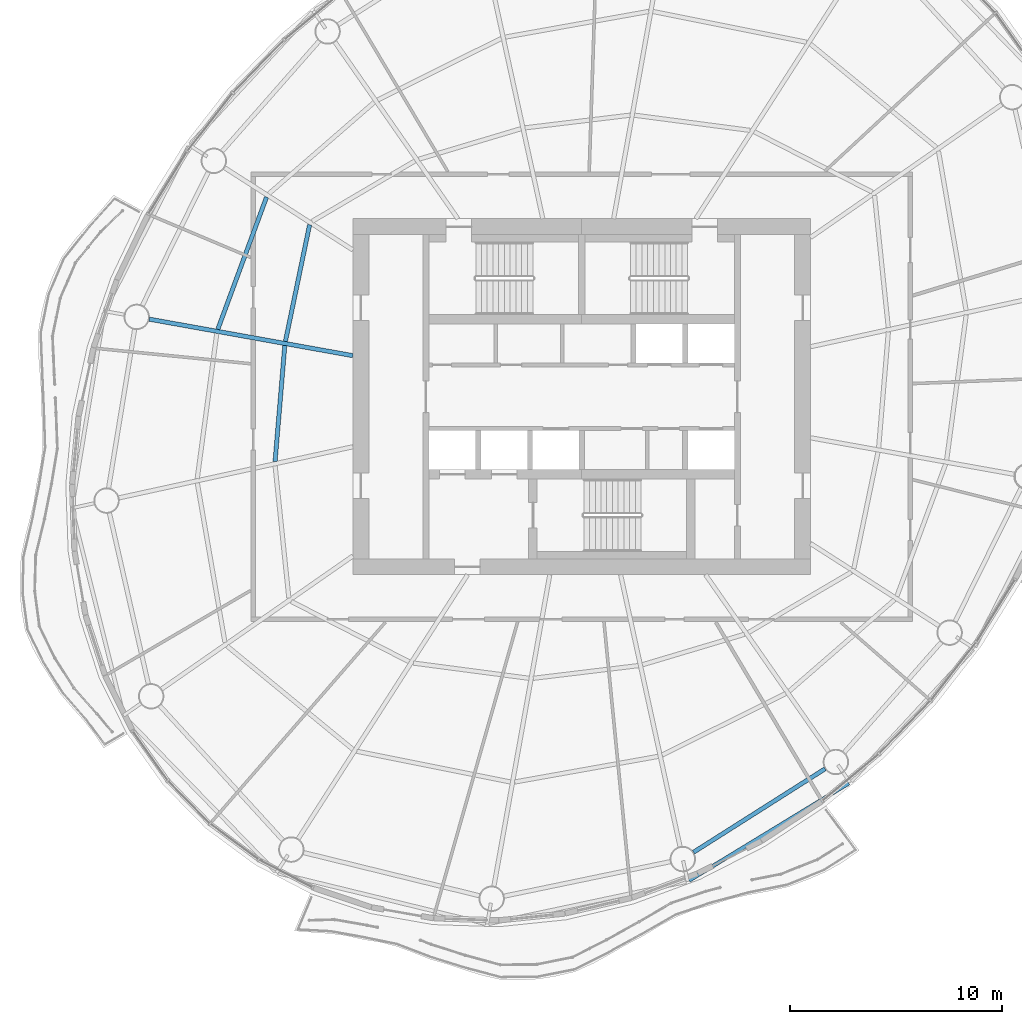
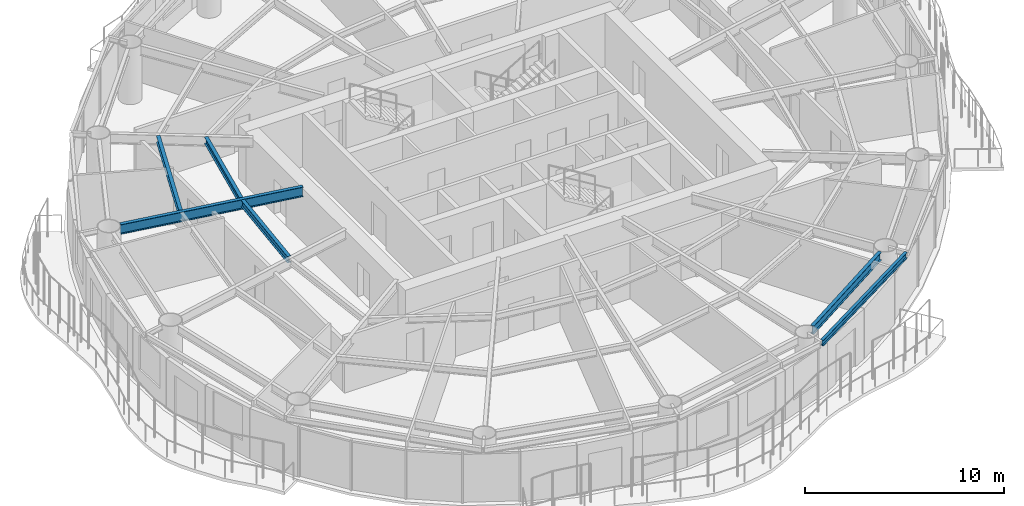
# One storey, part 3 of 14: 6 beams.
"""IFC4 building model written with IfcOpenShell, lengths in metres."""

from ifc_helpers import new_model, si_unit, direction, frame, origin, origin_2d, place, context, subcontext, project, spatial, i_section, extrude, material, material_profile, profile_set, type_object, element, save


model = new_model("IFC4")

# Units and contexts
model_context = context("Model", 3, precision=1e-05, world=origin(), true_north=direction((0.0, 1.0)))
body_context = subcontext(model_context, "Body", "Model", "MODEL_VIEW")
ifc_project = project(units=[si_unit("LENGTHUNIT", "METRE"), si_unit("AREAUNIT", "SQUARE_METRE"), si_unit("VOLUMEUNIT", "CUBIC_METRE"), si_unit("PLANEANGLEUNIT", "RADIAN"), si_unit("MASSUNIT", "GRAM", prefix="KILO")], contexts=[model_context])

# Site, building, storey
site_placement = place(None, origin())
site = spatial("IfcSite", under=ifc_project, at=site_placement, CompositionType="ELEMENT")
building_placement = place(site_placement, origin())
building = spatial("IfcBuilding", under=site, at=building_placement, Name="Vermilion Reach Broadcast Tower", CompositionType="ELEMENT")
storey_placement = place(building_placement, frame((0.0, 0.0, 228.10009765625)))
storey = spatial("IfcBuildingStorey", under=building, at=storey_placement, Name="L56", CompositionType="ELEMENT", Elevation=228.10009765625)

# Beams
ifc_material_1 = material(Name="Steel S355J2", Category="steel")
ifc_material_profile_1 = material_profile(ifc_material_1, i_section(OverallWidth=0.175048828125, OverallDepth=0.35009765625, WebThickness=0.007080078125, FlangeThickness=0.010986328125, at=origin_2d()), Name="S355J2 HN 350x175x7x11")
ifc_profile_set_1 = profile_set([ifc_material_profile_1], Name="Steel S355J2")
beam_type_1 = type_object("IfcBeamType", Name="EB4 HN 350x175x7x11", PredefinedType="BEAM", material=ifc_profile_set_1)
beam_1_placement = place(storey_placement, frame((-0.9326171875, -22.831787109375, 3.27490234375), z_axis=(0.854050493174, 0.52019011439, 0.0), x_axis=(-0.52019011439, 0.854050493174, 0.0)))
element("IfcBeam", 1, at=beam_1_placement, inside=storey, type_object=beam_type_1, Name="Edge beam EB4-11", PredefinedType="BEAM", context=body_context, shape_type="SweptSolid", body=[
    extrude(i_section(OverallWidth=0.175048828125, OverallDepth=0.35009765625, WebThickness=0.007080078125, FlangeThickness=0.010986328125, at=origin_2d()), origin(), (0.0, 0.0, 1.0), 8.822021484375),
])
ifc_material_2 = material(Name="Steel S355J2", Category="steel")
ifc_material_profile_2 = material_profile(ifc_material_2, i_section(OverallWidth=0.199951171875, OverallDepth=0.60009765625, WebThickness=0.010986328125, FlangeThickness=0.01708984375, at=origin_2d()), Name="S355J2 HN 600x200x11x17")
ifc_profile_set_2 = profile_set([ifc_material_profile_2], Name="Steel S355J2")
beam_type_2 = type_object("IfcBeamType", Name="G4 HN 600x200x11x17", PredefinedType="BEAM", material=ifc_profile_set_2)
beam_2_placement = place(storey_placement, frame((-16.800048828125, 1.9375, 3.14990234375), z_axis=(-0.984291153273, 0.176552897422, 0.0), x_axis=(-0.176552897422, -0.984291153273, 0.0)))
element("IfcBeam", 2, at=beam_2_placement, inside=storey, type_object=beam_type_2, Name="Girder G4-06", PredefinedType="BEAM", context=body_context, shape_type="SweptSolid", body=[
    extrude(i_section(OverallWidth=0.199951171875, OverallDepth=0.60009765625, WebThickness=0.010986328125, FlangeThickness=0.01708984375, at=origin_2d()), origin(), (0.0, 0.0, 1.0), 9.765380859375),
])
ifc_material_3 = material(Name="Steel S355J2", Category="steel")
ifc_material_profile_3 = material_profile(ifc_material_3, i_section(OverallWidth=0.199951171875, OverallDepth=0.5, WebThickness=0.010009765625, FlangeThickness=0.01611328125, at=origin_2d()), Name="S355J2 HN 500x200x10x16")
ifc_profile_set_3 = profile_set([ifc_material_profile_3], Name="Steel S355J2")
beam_type_3 = type_object("IfcBeamType", Name="RB4 HN 500x200x10x16", PredefinedType="BEAM", material=ifc_profile_set_3)
beam_3_placement = place(storey_placement, frame((-0.72412109375, -21.497314453125, 3.199951171875), z_axis=(0.84446426774, 0.535611893549, 0.0), x_axis=(-0.535611893549, 0.84446426774, 0.0)))
element("IfcBeam", 3, at=beam_3_placement, inside=storey, type_object=beam_type_3, Name="Ring beam RB4-11", PredefinedType="BEAM", context=body_context, shape_type="SweptSolid", body=[
    extrude(i_section(OverallWidth=0.199951171875, OverallDepth=0.5, WebThickness=0.010009765625, FlangeThickness=0.01611328125, at=origin_2d()), origin(), (0.0, 0.0, 1.0), 7.3544921875),
])
ifc_material_4 = material(Name="Steel S355J2", Category="steel")
ifc_material_profile_4 = material_profile(ifc_material_4, i_section(OverallWidth=0.199951171875, OverallDepth=0.39990234375, WebThickness=0.008056640625, FlangeThickness=0.012939453125, at=origin_2d()), Name="S355J2 HN 400x200x8x13")
ifc_profile_set_4 = profile_set([ifc_material_profile_4], Name="Steel S355J2")
beam_type_4 = type_object("IfcBeamType", Name="SB4 HN 400x200x8x13", PredefinedType="BEAM", material=ifc_profile_set_4)
beam_4_placement = place(storey_placement, frame((-18.841064453125, 8.115478515625, 3.25), z_axis=(-0.20320860258, -0.979135467562, 0.0), x_axis=(0.979135467562, -0.20320860258, 0.0)))
element("IfcBeam", 4, at=beam_4_placement, inside=storey, type_object=beam_type_4, Name="Secondary beam SB4-05-1", PredefinedType="BEAM", context=body_context, shape_type="SweptSolid", body=[
    extrude(i_section(OverallWidth=0.199951171875, OverallDepth=0.39990234375, WebThickness=0.008056640625, FlangeThickness=0.012939453125, at=origin_2d()), origin(), (0.0, 0.0, 1.0), 5.622802734375),
])
beam_5_placement = place(storey_placement, frame((-20.8740234375, 9.419189453125, 3.25), z_axis=(-0.345833008621, -0.938296078084, 0.0), x_axis=(0.938296078084, -0.345833008621, 0.0)))
element("IfcBeam", 5, at=beam_5_placement, inside=storey, type_object=beam_type_4, Name="Secondary beam SB4-05-2", PredefinedType="BEAM", context=body_context, shape_type="SweptSolid", body=[
    extrude(i_section(OverallWidth=0.199951171875, OverallDepth=0.39990234375, WebThickness=0.008056640625, FlangeThickness=0.012939453125, at=origin_2d()), origin(), (0.0, 0.0, 1.0), 6.647216796875),
])
beam_6_placement = place(storey_placement, frame((-20.012451171875, 2.412109375, 3.25), z_axis=(-0.08339866655, -0.996516262997, 0.0), x_axis=(0.996516262997, -0.08339866655, 0.0)))
element("IfcBeam", 6, at=beam_6_placement, inside=storey, type_object=beam_type_4, Name="Secondary beam SB4-06-1", PredefinedType="BEAM", context=body_context, shape_type="SweptSolid", body=[
    extrude(i_section(OverallWidth=0.199951171875, OverallDepth=0.39990234375, WebThickness=0.008056640625, FlangeThickness=0.012939453125, at=origin_2d()), origin(), (0.0, 0.0, 1.0), 5.49169921875),
])

save(model, "model.ifc")
